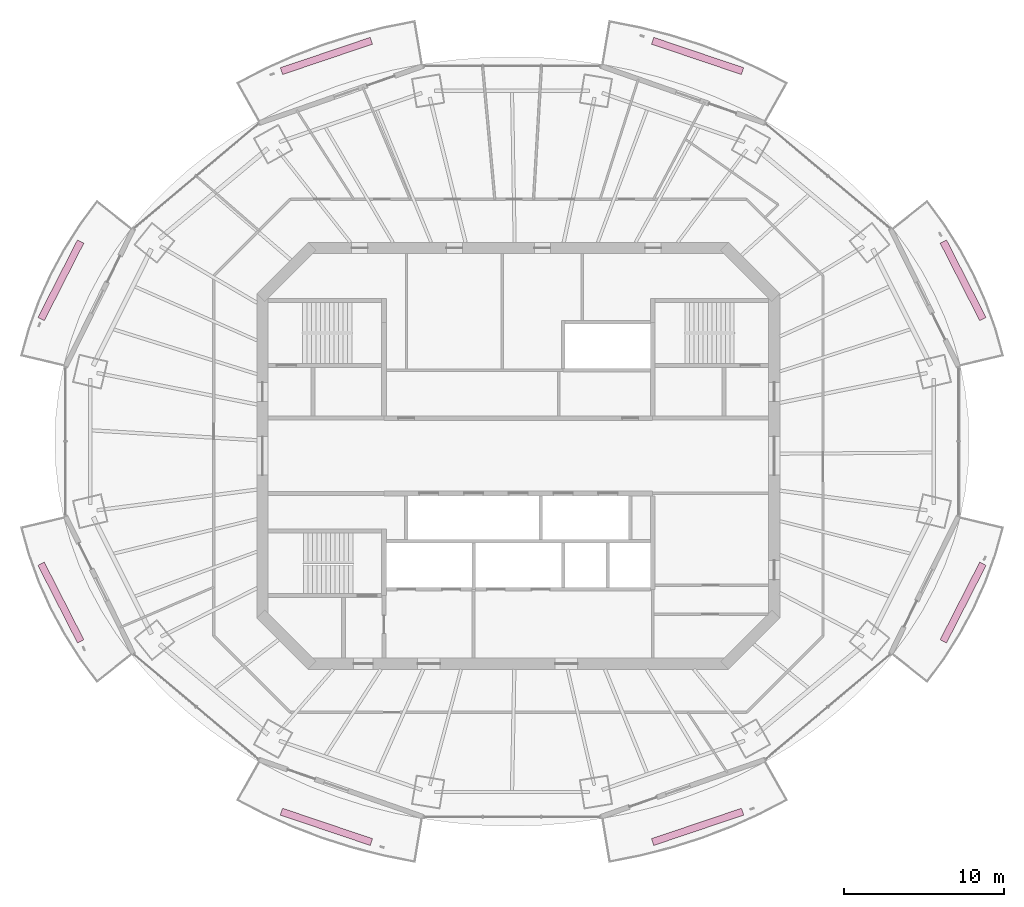
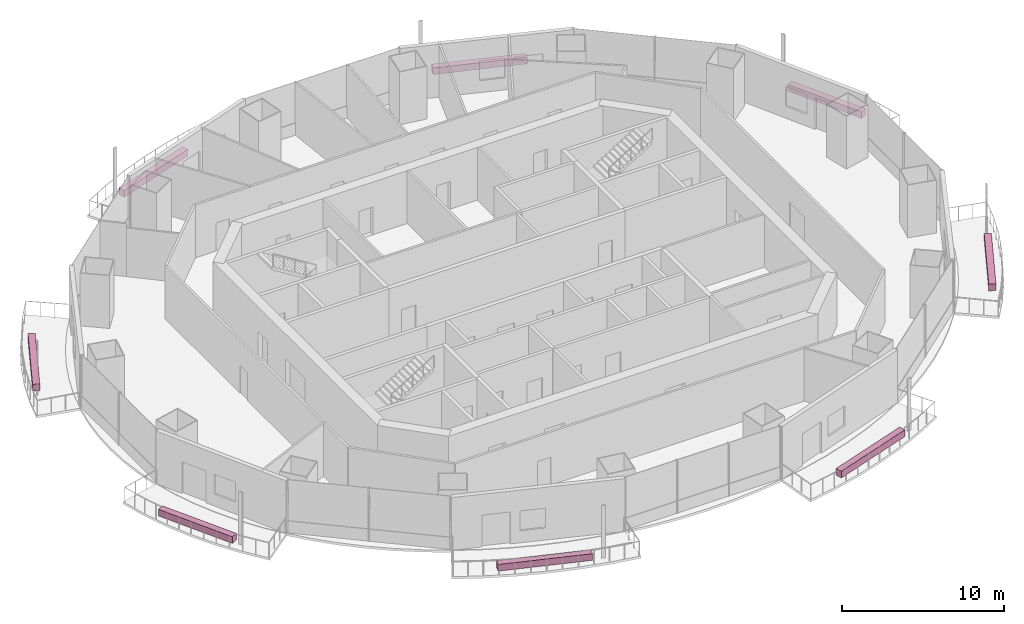
# One storey, part 16 of 16: 8 furnishings.
"""IFC4 building model written with IfcOpenShell, lengths in metres."""

from ifc_helpers import new_model, si_unit, direction, frame, origin, origin_2d, place, context, subcontext, project, spatial, rectangle, extrude, material, type_object, element, save


model = new_model("IFC4")

# Units and contexts
model_context = context("Model", 3, precision=1e-05, world=origin(), true_north=direction((0.0, 1.0)))
body_context = subcontext(model_context, "Body", "Model", "MODEL_VIEW")
ifc_project = project(units=[si_unit("LENGTHUNIT", "METRE"), si_unit("AREAUNIT", "SQUARE_METRE"), si_unit("VOLUMEUNIT", "CUBIC_METRE"), si_unit("PLANEANGLEUNIT", "RADIAN"), si_unit("MASSUNIT", "GRAM", prefix="KILO")], contexts=[model_context])

# Site, building, storey
site_placement = place(None, origin())
site = spatial("IfcSite", under=ifc_project, at=site_placement, CompositionType="ELEMENT")
building_placement = place(site_placement, origin())
building = spatial("IfcBuilding", under=site, at=building_placement, Name="Marenthal Gate Tower", CompositionType="ELEMENT")
storey_placement = place(building_placement, frame((0.0, 0.0, 301.10009765625)))
storey = spatial("IfcBuildingStorey", under=building, at=storey_placement, Name="L67", CompositionType="ELEMENT", Elevation=301.10009765625)

# Furnishings
ifc_material = material(Name="Planting soil and foliage", Category="planting")
furnishing_element_type = type_object("IfcFurnishingElementType", Name="Balcony PLANTER trough", material=ifc_material)
furnishing_1_placement = place(storey_placement, frame((27.814208984375, 10.977783203125, -0.0400390625), z_axis=(0.0, 0.0, 1.0), x_axis=(-0.454321368987, 0.890837860489, 0.0)))
element("IfcFurnishingElement", 1, at=furnishing_1_placement, inside=storey, type_object=furnishing_element_type, Name="Balcony PLANTER L67 bay 1", ObjectType="PLANTER", context=body_context, shape_type="SweptSolid", body=[
    extrude(rectangle(XDim=5.44287109375, YDim=0.449951171875, at=origin_2d()), origin(), (0.0, 0.0, 1.0), 0.5),
])
for number, where, z_axis, x_axis, name in (
    (2, (11.20703125, 25.008056640625, -0.0400390625), (0.0, 0.0, 1.0), (-0.947447903765, 0.3199100962, 0.0), "Balcony PLANTER L67 bay 3"),
    (3, (-12.007080078125, 25.008056640625, -0.0400390625), (0.0, 0.0, 1.0), (-0.947447903765, -0.3199100962, 0.0), "Balcony PLANTER L67 bay 5"),
):
    element("IfcFurnishingElement", number, at=place(storey_placement, frame(where, z_axis=z_axis, x_axis=x_axis)), inside=storey, type_object=furnishing_element_type, Name=name, ObjectType="PLANTER", context=body_context, shape_type="SweptSolid", body=[
        extrude(rectangle(XDim=5.9404296875, YDim=0.449951171875, at=origin_2d()), origin(), (0.0, 0.0, 1.0), 0.5),
    ])
for number, where, z_axis, x_axis, name in (
    (4, (-28.6142578125, 10.977783203125, -0.0400390625), (0.0, 0.0, 1.0), (-0.454321368987, -0.890837860489, 0.0), "Balcony PLANTER L67 bay 7"),
    (5, (-28.6142578125, -9.177734375, -0.0400390625), (0.0, 0.0, 1.0), (0.454321368987, -0.890837860489, 0.0), "Balcony PLANTER L67 bay 9"),
):
    element("IfcFurnishingElement", number, at=place(storey_placement, frame(where, z_axis=z_axis, x_axis=x_axis)), inside=storey, type_object=furnishing_element_type, Name=name, ObjectType="PLANTER", context=body_context, shape_type="SweptSolid", body=[
        extrude(rectangle(XDim=5.44287109375, YDim=0.449951171875, at=origin_2d()), origin(), (0.0, 0.0, 1.0), 0.5),
    ])
for number, where, z_axis, x_axis, name in (
    (6, (-12.007080078125, -23.2080078125, -0.0400390625), (0.0, 0.0, 1.0), (0.947447903765, -0.3199100962, 0.0), "Balcony PLANTER L67 bay 11"),
    (7, (11.20703125, -23.2080078125, -0.0400390625), (0.0, 0.0, 1.0), (0.947447903765, 0.3199100962, 0.0), "Balcony PLANTER L67 bay 13"),
):
    element("IfcFurnishingElement", number, at=place(storey_placement, frame(where, z_axis=z_axis, x_axis=x_axis)), inside=storey, type_object=furnishing_element_type, Name=name, ObjectType="PLANTER", context=body_context, shape_type="SweptSolid", body=[
        extrude(rectangle(XDim=5.9404296875, YDim=0.449951171875, at=origin_2d()), origin(), (0.0, 0.0, 1.0), 0.5),
    ])
furnishing_2_placement = place(storey_placement, frame((27.814208984375, -9.177734375, -0.0400390625), z_axis=(0.0, 0.0, 1.0), x_axis=(0.454321368987, 0.890837860489, 0.0)))
element("IfcFurnishingElement", 8, at=furnishing_2_placement, inside=storey, type_object=furnishing_element_type, Name="Balcony PLANTER L67 bay 15", ObjectType="PLANTER", context=body_context, shape_type="SweptSolid", body=[
    extrude(rectangle(XDim=5.44287109375, YDim=0.449951171875, at=origin_2d()), origin(), (0.0, 0.0, 1.0), 0.5),
])

save(model, "model.ifc")
